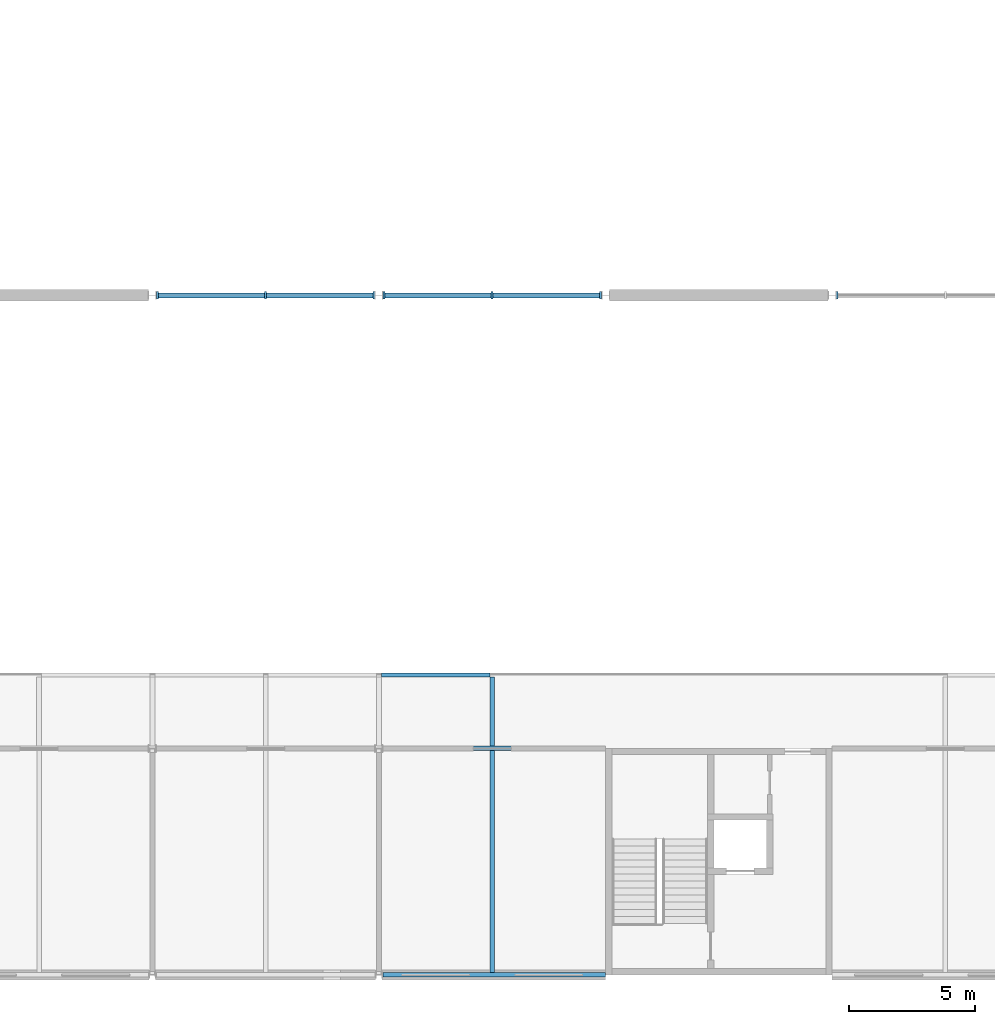
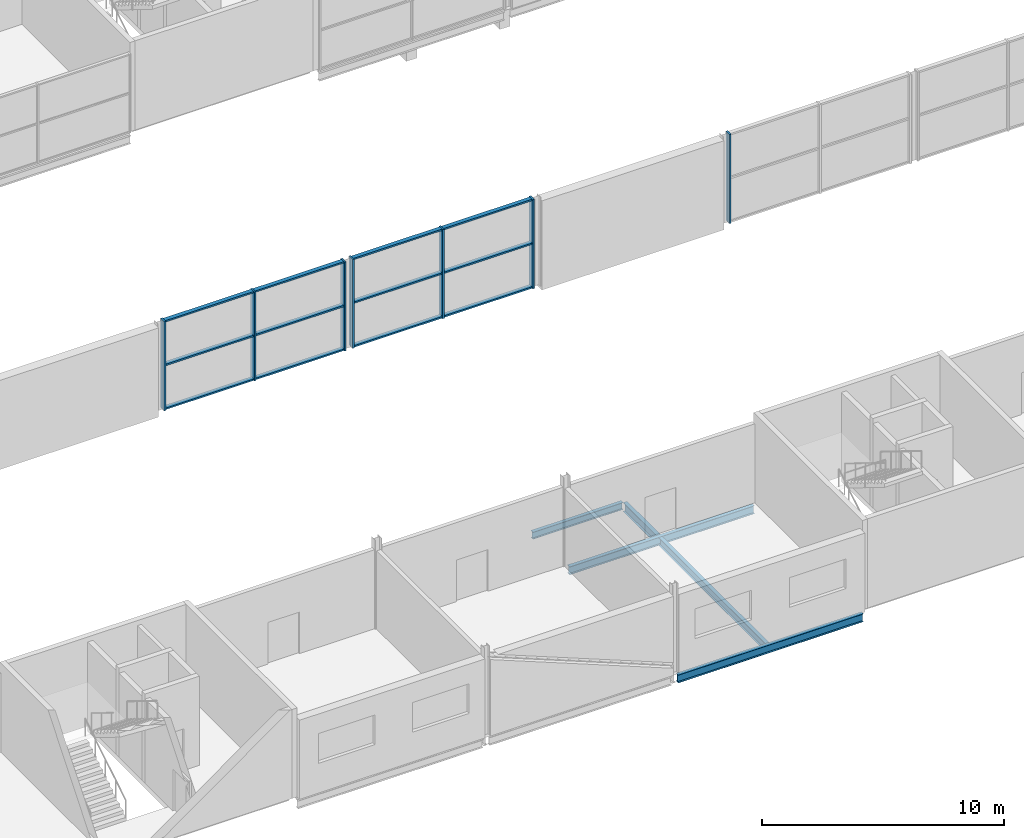
# One storey, part 34 of 97: 19 members, 5 beams, 3 elements without a shape of their own.
"""IFC4 building model written with IfcOpenShell, lengths in metres."""

import ifcopenshell
import ifcopenshell.guid

model = None  # the IFC model being written
_history = None  # IfcOwnerHistory: only IFC2X3 demands one
_inside = {}  # id of a spatial element -> (the spatial element, [elements in it])
_under = {}  # id of a project, library or spatial element -> (it, [spatial elements below it])
_declared = {}  # id of a project -> (the project, [libraries it declares])
_typed = {}  # id of a type object -> (the type object, [elements of that type])
_made_of = {}  # id of a material, layer set ... -> (it, [elements and type objects made of it])


def new_model(schema):
    """Start an empty IFC model of exactly this schema.

    Asked for "IFC4X3", IfcOpenShell would pick the latest addendum, in which some entities
    have other attributes; the version numbers below select the first issue.
    IFC2X3 requires an IfcOwnerHistory on every rooted entity: one is made here for all.
    """
    global model, _history
    if schema == "IFC4X3":
        model = ifcopenshell.file(schema_version=(4, 3, 0, 0))
    else:
        model = ifcopenshell.file(schema=schema)
    _inside.clear()
    _under.clear()
    _declared.clear()
    _typed.clear()
    _made_of.clear()
    _history = None
    if model.schema == "IFC2X3":
        org = make("IfcOrganization", Name="unknown")
        user = make(
            "IfcPersonAndOrganization",
            ThePerson=make("IfcPerson", FamilyName="unknown"),
            TheOrganization=org,
        )
        app = make(
            "IfcApplication",
            ApplicationDeveloper=org,
            Version="unknown",
            ApplicationFullName="unknown",
            ApplicationIdentifier="unknown",
        )
        _history = make(
            "IfcOwnerHistory",
            OwningUser=user,
            OwningApplication=app,
            ChangeAction="ADDED",
            CreationDate=0,
        )
    return model


def make(cls, **values):
    """One entity of the class cls with the attributes given. An attribute that is None is left unset."""
    return model.create_entity(
        cls, **{name: value for name, value in values.items() if value is not None}
    )


def rooted(cls, **values):
    """An entity with a GlobalId (a new one), such as an element, a storey or a relation."""
    return make(cls, GlobalId=ifcopenshell.guid.new(), OwnerHistory=_history, **values)


def si_unit(unit_type, name, prefix=None):
    """IfcSIUnit, for example si_unit("LENGTHUNIT", "METRE", prefix="MILLI")."""
    return make("IfcSIUnit", UnitType=unit_type, Prefix=prefix, Name=name)


def assignment(units):
    """IfcUnitAssignment: the units of a project."""
    return None if units is None else make("IfcUnitAssignment", Units=units)


def point(xyz):
    """IfcCartesianPoint."""
    return None if xyz is None else make("IfcCartesianPoint", Coordinates=xyz)


def direction(xyz):
    """IfcDirection."""
    return None if xyz is None else make("IfcDirection", DirectionRatios=xyz)


def frame(location, z_axis=None, x_axis=None):
    """IfcAxis2Placement3D, a coordinate frame: its origin and axes. An axis left out is left unset."""
    return make(
        "IfcAxis2Placement3D",
        Location=point(location),
        Axis=direction(z_axis),
        RefDirection=direction(x_axis),
    )


def frame_2d(location, x_axis=None):
    """IfcAxis2Placement2D, a coordinate frame in the plane: its origin and x axis."""
    return make(
        "IfcAxis2Placement2D", Location=point(location), RefDirection=direction(x_axis)
    )


def origin():
    """The frame at (0, 0, 0) with its axes left unset."""
    return frame((0.0, 0.0, 0.0))


def origin_2d():
    """The frame at (0, 0) in the plane with its x axis left unset."""
    return frame_2d((0.0, 0.0))


def place(relative_to, where):
    """IfcLocalPlacement: puts the frame where relative to a parent placement (None: the world)."""
    return make(
        "IfcLocalPlacement", PlacementRelTo=relative_to, RelativePlacement=where
    )


def context(
    kind, dimensions, precision=None, world=None, true_north=None, identifier=None
):
    """IfcGeometricRepresentationContext, for example the 3D "Model" context."""
    return make(
        "IfcGeometricRepresentationContext",
        ContextIdentifier=identifier,
        ContextType=kind,
        CoordinateSpaceDimension=dimensions,
        Precision=precision,
        WorldCoordinateSystem=world,
        TrueNorth=true_north,
    )


def subcontext(parent, identifier, kind, view, scale=None):
    """IfcGeometricRepresentationSubContext, for example "Body" below "Model"."""
    return make(
        "IfcGeometricRepresentationSubContext",
        ContextIdentifier=identifier,
        ContextType=kind,
        ParentContext=parent,
        TargetScale=scale,
        TargetView=view,
    )


def project(units=None, contexts=None):
    """IfcProject with its units and contexts."""
    return rooted(
        "IfcProject",
        Name="project",
        RepresentationContexts=contexts,
        UnitsInContext=assignment(units),
    )


def spatial(cls, under=None, at=None, **own):
    """A site, building, storey or space (cls), placed at a placement, below another one or the project."""
    s = rooted(cls, ObjectPlacement=at, **own)
    if under is not None:
        _under.setdefault(under.id(), (under, []))[1].append(s)
    return s


def profile(cls, at=None, kind="AREA", **sizes):
    """A parametric profile (cls). Its sizes go by their IFC names, for example OverallWidth=200.0."""
    return make(cls, ProfileType=kind, Position=at, **sizes)


def rectangle(**sizes):
    """IfcRectangleProfileDef."""
    return profile("IfcRectangleProfileDef", **sizes)


def i_section(**sizes):
    """IfcIShapeProfileDef."""
    return profile("IfcIShapeProfileDef", **sizes)


def extrude(swept, where, along, depth):
    """IfcExtrudedAreaSolid: the profile swept, set in the frame where, extruded along a direction by depth."""
    return make(
        "IfcExtrudedAreaSolid",
        SweptArea=swept,
        Position=where,
        ExtrudedDirection=direction(along),
        Depth=depth,
    )


def shape(context_of_items, identifier, shape_type, items):
    """IfcShapeRepresentation: the items that make up one representation, for example the "Body"."""
    return make(
        "IfcShapeRepresentation",
        ContextOfItems=context_of_items,
        RepresentationIdentifier=identifier,
        RepresentationType=shape_type,
        Items=items,
    )


def material(Name=None, Category=None):
    """IfcMaterial."""
    return make("IfcMaterial", Name=Name, Category=Category)


def layer(
    of_material, thickness, ventilated=None, Name=None, Category=None, Priority=None
):
    """IfcMaterialLayer: one layer of a wall or slab, of a material (None: an air gap)."""
    return make(
        "IfcMaterialLayer",
        Material=of_material,
        LayerThickness=thickness,
        IsVentilated=ventilated,
        Name=Name,
        Category=Category,
        Priority=Priority,
    )


def layer_set(layers, Name=None):
    """IfcMaterialLayerSet."""
    return make("IfcMaterialLayerSet", MaterialLayers=layers, LayerSetName=Name)


def material_profile(
    of_material, cross_section, Name=None, Category=None, Priority=None
):
    """IfcMaterialProfile: a cross section and its material."""
    return make(
        "IfcMaterialProfile",
        Name=Name,
        Material=of_material,
        Profile=cross_section,
        Priority=Priority,
        Category=Category,
    )


def profile_set(profiles, Name=None, composite=None):
    """IfcMaterialProfileSet."""
    return make(
        "IfcMaterialProfileSet",
        Name=Name,
        MaterialProfiles=profiles,
        CompositeProfile=composite,
    )


def made_of(thing, what):
    """Note that an element or type object is made of a material, layer set ...; save() writes the relation."""
    if what is not None:
        _made_of.setdefault(what.id(), (what, []))[1].append(thing)
    return thing


def type_object(cls, material=None, **own):
    """A type object (cls), such as IfcWallType, which elements share."""
    return made_of(rooted(cls, **own), material)


def element(
    cls,
    number,
    at=None,
    inside=None,
    cuts=None,
    type_object=None,
    material=None,
    context=None,
    identifier="Body",
    shape_type=None,
    held_by="IfcProductDefinitionShape",
    body=None,
    shapes=None,
    **own,
):
    """One element of the class cls, such as IfcWall. Its Tag is "e" and its number.

    at: its placement. inside: the storey or other place that contains it. cuts: it is an
    opening in that element (IfcRelVoidsElement). A single representation is given by context,
    identifier, shape_type and body (its items); several are given by shapes. held_by: the class
    of the entity that holds the representations. save() writes the other relations.
    """
    e = rooted(cls, Tag="e%d" % number, ObjectPlacement=at, **own)
    if body is not None:
        shapes = [shape(context, identifier, shape_type, body)]
    if shapes is not None:
        e.Representation = make(held_by, Representations=shapes)
    if inside is not None:
        _inside.setdefault(inside.id(), (inside, []))[1].append(e)
    if cuts is not None:
        rooted(
            "IfcRelVoidsElement", RelatingBuildingElement=cuts, RelatedOpeningElement=e
        )
    if type_object is not None:
        _typed.setdefault(type_object.id(), (type_object, []))[1].append(e)
    return made_of(e, material)


def aggregate(whole, parts):
    """IfcRelAggregates: a whole, such as a stair, and the parts it consists of."""
    return rooted("IfcRelAggregates", RelatingObject=whole, RelatedObjects=parts)


def save(model, path):
    """Write the relations noted so far, then the file.

    IfcRelAggregates (storeys below a building ...), IfcRelContainedInSpatialStructure (elements
    in a storey), IfcRelDefinesByType, IfcRelAssociatesMaterial and IfcRelDeclares: one each for
    every whole, place, type object, material and project.
    """
    for whole, parts in _under.values():
        aggregate(whole, parts)
    for where, things in _inside.values():
        rooted(
            "IfcRelContainedInSpatialStructure",
            RelatedElements=things,
            RelatingStructure=where,
        )
    for kind, things in _typed.values():
        rooted("IfcRelDefinesByType", RelatedObjects=things, RelatingType=kind)
    for what, things in _made_of.values():
        rooted("IfcRelAssociatesMaterial", RelatedObjects=things, RelatingMaterial=what)
    for by, libraries in _declared.values():
        rooted("IfcRelDeclares", RelatingContext=by, RelatedDefinitions=libraries)
    model.write(path)


model = new_model("IFC4")

# Units and contexts
model_context = context("Model", 3, precision=1e-05, world=origin(), true_north=direction((0.0, 1.0)))
body_context = subcontext(model_context, "Body", "Model", "MODEL_VIEW")
ifc_project = project(units=[si_unit("LENGTHUNIT", "METRE"), si_unit("AREAUNIT", "SQUARE_METRE"), si_unit("VOLUMEUNIT", "CUBIC_METRE"), si_unit("PLANEANGLEUNIT", "RADIAN"), si_unit("MASSUNIT", "GRAM", prefix="KILO")], contexts=[model_context])

# Site, building, storey
site_placement = place(None, origin())
site = spatial("IfcSite", under=ifc_project, at=site_placement, CompositionType="ELEMENT")
building_placement = place(site_placement, origin())
building = spatial("IfcBuilding", under=site, at=building_placement, Name="Corbel Yard City Hall", CompositionType="ELEMENT")
storey_placement = place(building_placement, frame((0.0, 0.0, 6.0)))
storey = spatial("IfcBuildingStorey", under=building, at=storey_placement, Name="L01", CompositionType="ELEMENT", Elevation=6.0)

# Beams
ifc_material_1 = material(Name="Steel Grade 300 (300 MPa yield)", Category="steel")
ifc_material_profile_1 = material_profile(ifc_material_1, i_section(OverallWidth=0.177978515625, OverallDepth=0.406005859375, WebThickness=0.0078125, FlangeThickness=0.0126953125, at=origin_2d()), Name="410UB59.7")
ifc_profile_set_1 = profile_set([ifc_material_profile_1], Name="Steel Grade 300 (300 MPa yield)")
beam_type_1 = type_object("IfcBeamType", Name="Edge beam 410UB59.7", PredefinedType="BEAM", material=ifc_profile_set_1)
beam_1_placement = place(storey_placement, frame((108.157470703125, 0.0, -0.35302734375), z_axis=(1.0, 0.0, 0.0), x_axis=(0.0, 1.0, 0.0)))
element("IfcBeam", 1, at=beam_1_placement, inside=storey, type_object=beam_type_1, Name="Edge beam 410UB59.7 EB2 L01floor", PredefinedType="BEAM", context=body_context, shape_type="SweptSolid", body=[
    extrude(i_section(OverallWidth=0.177978515625, OverallDepth=0.406005859375, WebThickness=0.0078125, FlangeThickness=0.0126953125, at=origin_2d()), origin(), (0.0, 0.0, 1.0), 8.842529296875),
])
beam_2_placement = place(storey_placement, frame((108.16357421875, 9.0, -0.35302734375), z_axis=(1.0, 0.0, 0.0), x_axis=(0.0, 1.0, 0.0)))
element("IfcBeam", 2, at=beam_2_placement, inside=storey, type_object=beam_type_1, Name="Edge beam 410UB59.7 EB2 L01floor", PredefinedType="BEAM", context=body_context, shape_type="SweptSolid", body=[
    extrude(i_section(OverallWidth=0.177978515625, OverallDepth=0.406005859375, WebThickness=0.0078125, FlangeThickness=0.0126953125, at=origin_2d()), origin(), (0.0, 0.0, 1.0), 8.83642578125),
])
ifc_material_profile_2 = material_profile(ifc_material_1, i_section(OverallWidth=0.18994140625, OverallDepth=0.4541015625, WebThickness=0.008544921875, FlangeThickness=0.0126953125, at=origin_2d()), Name="460UB67.1")
ifc_profile_set_2 = profile_set([ifc_material_profile_2], Name="Steel Grade 300 (300 MPa yield)")
beam_type_2 = type_object("IfcBeamType", Name="Gallery bracket 460UB67.1", PredefinedType="BEAM", material=ifc_profile_set_2)
beam_3_placement = place(storey_placement, frame((112.5, 9.089111328125, -0.376953125), z_axis=(0.0, 1.0, 0.0), x_axis=(-1.0, 0.0, 0.0)))
element("IfcBeam", 3, at=beam_3_placement, inside=storey, type_object=beam_type_2, Name="Gallery bracket 460UB67.1 CB2 L01", PredefinedType="BEAM", context=body_context, shape_type="SweptSolid", body=[
    extrude(i_section(OverallWidth=0.18994140625, OverallDepth=0.4541015625, WebThickness=0.008544921875, FlangeThickness=0.0126953125, at=origin_2d()), origin(), (0.0, 0.0, 1.0), 2.739990234375),
])
ifc_material_profile_3 = material_profile(ifc_material_1, i_section(OverallWidth=0.1708984375, OverallDepth=0.35205078125, WebThickness=0.0068359375, FlangeThickness=0.009765625, at=origin_2d()), Name="360UB44.7")
ifc_profile_set_3 = profile_set([ifc_material_profile_3], Name="Steel Grade 300 (300 MPa yield)")
beam_type_3 = type_object("IfcBeamType", Name="Gallery edge beam 360UB44.7", PredefinedType="BEAM", material=ifc_profile_set_3)
beam_4_placement = place(storey_placement, frame((108.094970703125, 11.91455078125, -0.325927734375), z_axis=(1.0, 0.0, 0.0), x_axis=(0.0, 1.0, 0.0)))
element("IfcBeam", 4, at=beam_4_placement, inside=storey, type_object=beam_type_3, Name="Gallery edge beam 360UB44.7 EB13 L01", PredefinedType="BEAM", context=body_context, shape_type="SweptSolid", body=[
    extrude(i_section(OverallWidth=0.1708984375, OverallDepth=0.35205078125, WebThickness=0.0068359375, FlangeThickness=0.009765625, at=origin_2d()), origin(), (0.0, 0.0, 1.0), 4.31005859375),
])

# Curtain wall, members
ifc_material_2 = material(Name="Aluminium extrusion", Category="aluminium")
ifc_layer = layer(ifc_material_2, 0.300048828125)
ifc_layer_set = layer_set([ifc_layer], Name="Aluminium extrusion")
curtain_wall_type = type_object("IfcCurtainWallType", Name="CW7", PredefinedType="USERDEFINED", material=ifc_layer_set)
curtain_wall_1_placement = place(storey_placement, origin())
curtain_wall_1 = element("IfcCurtainWall", 5, at=curtain_wall_1_placement, inside=storey, type_object=curtain_wall_type, Name="Curtain wall CW7 L01", ObjectType="CURTAIN WALL", PredefinedType="USERDEFINED")
ifc_material_profile_4 = material_profile(ifc_material_2, rectangle(XDim=0.300048828125, YDim=0.080078125, at=origin_2d()), Name="300x80")
ifc_profile_set_4 = profile_set([ifc_material_profile_4], Name="Aluminium extrusion")
member_type_1 = type_object("IfcMemberType", Name="ML7", PredefinedType="MULLION", material=ifc_profile_set_4)
member_1_placement = place(storey_placement, frame((99.197509765625, 27.0, 0.0), z_axis=(0.0, 0.0, 1.0), x_axis=(0.0, 1.0, 0.0)))
member_1 = element("IfcMember", 6, at=member_1_placement, type_object=member_type_1, Name="CW7 mullion 1", PredefinedType="MULLION", context=body_context, shape_type="SweptSolid", body=[
    extrude(rectangle(XDim=0.300048828125, YDim=0.080078125, at=origin_2d()), origin(), (0.0, 0.0, 1.0), 4.5),
])
member_2_placement = place(storey_placement, frame((103.5, 27.0, 0.0), z_axis=(0.0, 0.0, 1.0), x_axis=(0.0, 1.0, 0.0)))
member_2 = element("IfcMember", 7, at=member_2_placement, type_object=member_type_1, Name="CW7 mullion 2", PredefinedType="MULLION", context=body_context, shape_type="SweptSolid", body=[
    extrude(rectangle(XDim=0.300048828125, YDim=0.080078125, at=origin_2d()), origin(), (0.0, 0.0, 1.0), 4.5),
])
member_3_placement = place(storey_placement, frame((107.802490234375, 27.0, 0.0), z_axis=(0.0, 0.0, 1.0), x_axis=(0.0, 1.0, 0.0)))
member_3 = element("IfcMember", 8, at=member_3_placement, type_object=member_type_1, Name="CW7 mullion 3", PredefinedType="MULLION", context=body_context, shape_type="SweptSolid", body=[
    extrude(rectangle(XDim=0.300048828125, YDim=0.080078125, at=origin_2d()), origin(), (0.0, 0.0, 1.0), 4.5),
])

curtain_wall_2_placement = place(storey_placement, origin())
curtain_wall_2 = element("IfcCurtainWall", 9, at=curtain_wall_2_placement, inside=storey, type_object=curtain_wall_type, Name="Curtain wall CW7 L01", ObjectType="CURTAIN WALL", PredefinedType="USERDEFINED")
member_4_placement = place(storey_placement, frame((108.197509765625, 27.0, 0.0), z_axis=(0.0, 0.0, 1.0), x_axis=(0.0, 1.0, 0.0)))
member_4 = element("IfcMember", 10, at=member_4_placement, type_object=member_type_1, Name="CW7 mullion 1", PredefinedType="MULLION", context=body_context, shape_type="SweptSolid", body=[
    extrude(rectangle(XDim=0.300048828125, YDim=0.080078125, at=origin_2d()), origin(), (0.0, 0.0, 1.0), 4.5),
])
member_5_placement = place(storey_placement, frame((112.5, 27.0, 0.0), z_axis=(0.0, 0.0, 1.0), x_axis=(0.0, 1.0, 0.0)))
member_5 = element("IfcMember", 11, at=member_5_placement, type_object=member_type_1, Name="CW7 mullion 2", PredefinedType="MULLION", context=body_context, shape_type="SweptSolid", body=[
    extrude(rectangle(XDim=0.300048828125, YDim=0.080078125, at=origin_2d()), origin(), (0.0, 0.0, 1.0), 4.5),
])
member_6_placement = place(storey_placement, frame((116.802490234375, 27.0, 0.0), z_axis=(0.0, 0.0, 1.0), x_axis=(0.0, 1.0, 0.0)))
member_6 = element("IfcMember", 12, at=member_6_placement, type_object=member_type_1, Name="CW7 mullion 3", PredefinedType="MULLION", context=body_context, shape_type="SweptSolid", body=[
    extrude(rectangle(XDim=0.300048828125, YDim=0.080078125, at=origin_2d()), origin(), (0.0, 0.0, 1.0), 4.5),
])

# Curtain wall, member
curtain_wall_3_placement = place(storey_placement, origin())
curtain_wall_3 = element("IfcCurtainWall", 13, at=curtain_wall_3_placement, inside=storey, type_object=curtain_wall_type, Name="Curtain wall CW7 L01", ObjectType="CURTAIN WALL", PredefinedType="USERDEFINED")
member_7_placement = place(storey_placement, frame((126.197509765625, 27.0, 0.0), z_axis=(0.0, 0.0, 1.0), x_axis=(0.0, 1.0, 0.0)))
member_7 = element("IfcMember", 14, at=member_7_placement, type_object=member_type_1, Name="CW7 mullion 1", PredefinedType="MULLION", context=body_context, shape_type="SweptSolid", body=[
    extrude(rectangle(XDim=0.300048828125, YDim=0.080078125, at=origin_2d()), origin(), (0.0, 0.0, 1.0), 4.5),
])
aggregate(curtain_wall_3, [member_7])

# Beam
ifc_material_profile_5 = material_profile(ifc_material_1, i_section(OverallWidth=0.177978515625, OverallDepth=0.403076171875, WebThickness=0.007568359375, FlangeThickness=0.010986328125, at=origin_2d()), Name="410UB53.7")
ifc_profile_set_5 = profile_set([ifc_material_profile_5], Name="Steel Grade 300 (300 MPa yield)")
beam_type_4 = type_object("IfcBeamType", Name="Secondary beam 410UB53.7", PredefinedType="JOIST", material=ifc_profile_set_5)
beam_5_placement = place(storey_placement, frame((112.5, 0.089111328125, -0.3515625), z_axis=(0.0, 1.0, 0.0), x_axis=(-1.0, 0.0, 0.0)))
element("IfcBeam", 15, at=beam_5_placement, inside=storey, type_object=beam_type_4, Name="Secondary beam 410UB53.7 SB5 L01floor", PredefinedType="JOIST", context=body_context, shape_type="SweptSolid", body=[
    extrude(i_section(OverallWidth=0.177978515625, OverallDepth=0.403076171875, WebThickness=0.007568359375, FlangeThickness=0.010986328125, at=origin_2d()), origin(), (0.0, 0.0, 1.0), 8.82177734375),
])

# Member
ifc_material_profile_6 = material_profile(ifc_material_2, rectangle(XDim=0.199951171875, YDim=0.080078125, at=origin_2d()), Name="200x80")
ifc_profile_set_6 = profile_set([ifc_material_profile_6], Name="Aluminium extrusion")
member_type_2 = type_object("IfcMemberType", Name="TR7", PredefinedType="USERDEFINED", material=ifc_profile_set_6)
member_8_placement = place(storey_placement, frame((99.237548828125, 27.0, 0.0400390625), z_axis=(1.0, 0.0, 0.0), x_axis=(0.0, 1.0, 0.0)))
member_8 = element("IfcMember", 16, at=member_8_placement, type_object=member_type_2, Name="CW7 transom 1.1", ObjectType="TRANSOM", PredefinedType="USERDEFINED", context=body_context, shape_type="SweptSolid", body=[
    extrude(rectangle(XDim=0.199951171875, YDim=0.080078125, at=origin_2d()), origin(), (0.0, 0.0, 1.0), 4.222412109375),
])

member_9_placement = place(storey_placement, frame((99.237548828125, 27.0, 2.25), z_axis=(1.0, 0.0, 0.0), x_axis=(0.0, 1.0, 0.0)))
member_9 = element("IfcMember", 17, at=member_9_placement, type_object=member_type_2, Name="CW7 transom 1.2", ObjectType="TRANSOM", PredefinedType="USERDEFINED", context=body_context, shape_type="SweptSolid", body=[
    extrude(rectangle(XDim=0.199951171875, YDim=0.080078125, at=origin_2d()), origin(), (0.0, 0.0, 1.0), 4.222412109375),
])

member_10_placement = place(storey_placement, frame((99.237548828125, 27.0, 4.4599609375), z_axis=(1.0, 0.0, 0.0), x_axis=(0.0, 1.0, 0.0)))
member_10 = element("IfcMember", 18, at=member_10_placement, type_object=member_type_2, Name="CW7 transom 1.3", ObjectType="TRANSOM", PredefinedType="USERDEFINED", context=body_context, shape_type="SweptSolid", body=[
    extrude(rectangle(XDim=0.199951171875, YDim=0.080078125, at=origin_2d()), origin(), (0.0, 0.0, 1.0), 4.222412109375),
])

member_11_placement = place(storey_placement, frame((103.5400390625, 27.0, 0.0400390625), z_axis=(1.0, 0.0, 0.0), x_axis=(0.0, 1.0, 0.0)))
member_11 = element("IfcMember", 19, at=member_11_placement, type_object=member_type_2, Name="CW7 transom 2.1", ObjectType="TRANSOM", PredefinedType="USERDEFINED", context=body_context, shape_type="SweptSolid", body=[
    extrude(rectangle(XDim=0.199951171875, YDim=0.080078125, at=origin_2d()), origin(), (0.0, 0.0, 1.0), 4.222412109375),
])

member_12_placement = place(storey_placement, frame((103.5400390625, 27.0, 2.25), z_axis=(1.0, 0.0, 0.0), x_axis=(0.0, 1.0, 0.0)))
member_12 = element("IfcMember", 20, at=member_12_placement, type_object=member_type_2, Name="CW7 transom 2.2", ObjectType="TRANSOM", PredefinedType="USERDEFINED", context=body_context, shape_type="SweptSolid", body=[
    extrude(rectangle(XDim=0.199951171875, YDim=0.080078125, at=origin_2d()), origin(), (0.0, 0.0, 1.0), 4.222412109375),
])

member_13_placement = place(storey_placement, frame((103.5400390625, 27.0, 4.4599609375), z_axis=(1.0, 0.0, 0.0), x_axis=(0.0, 1.0, 0.0)))
member_13 = element("IfcMember", 21, at=member_13_placement, type_object=member_type_2, Name="CW7 transom 2.3", ObjectType="TRANSOM", PredefinedType="USERDEFINED", context=body_context, shape_type="SweptSolid", body=[
    extrude(rectangle(XDim=0.199951171875, YDim=0.080078125, at=origin_2d()), origin(), (0.0, 0.0, 1.0), 4.222412109375),
])

aggregate(curtain_wall_1, [member_1, member_2, member_3, member_8, member_9, member_10, member_11, member_12, member_13])

member_14_placement = place(storey_placement, frame((108.237548828125, 27.0, 0.0400390625), z_axis=(1.0, 0.0, 0.0), x_axis=(0.0, 1.0, 0.0)))
member_14 = element("IfcMember", 22, at=member_14_placement, type_object=member_type_2, Name="CW7 transom 1.1", ObjectType="TRANSOM", PredefinedType="USERDEFINED", context=body_context, shape_type="SweptSolid", body=[
    extrude(rectangle(XDim=0.199951171875, YDim=0.080078125, at=origin_2d()), origin(), (0.0, 0.0, 1.0), 4.222412109375),
])

member_15_placement = place(storey_placement, frame((108.237548828125, 27.0, 2.25), z_axis=(1.0, 0.0, 0.0), x_axis=(0.0, 1.0, 0.0)))
member_15 = element("IfcMember", 23, at=member_15_placement, type_object=member_type_2, Name="CW7 transom 1.2", ObjectType="TRANSOM", PredefinedType="USERDEFINED", context=body_context, shape_type="SweptSolid", body=[
    extrude(rectangle(XDim=0.199951171875, YDim=0.080078125, at=origin_2d()), origin(), (0.0, 0.0, 1.0), 4.222412109375),
])

member_16_placement = place(storey_placement, frame((108.237548828125, 27.0, 4.4599609375), z_axis=(1.0, 0.0, 0.0), x_axis=(0.0, 1.0, 0.0)))
member_16 = element("IfcMember", 24, at=member_16_placement, type_object=member_type_2, Name="CW7 transom 1.3", ObjectType="TRANSOM", PredefinedType="USERDEFINED", context=body_context, shape_type="SweptSolid", body=[
    extrude(rectangle(XDim=0.199951171875, YDim=0.080078125, at=origin_2d()), origin(), (0.0, 0.0, 1.0), 4.222412109375),
])

member_17_placement = place(storey_placement, frame((112.5400390625, 27.0, 0.0400390625), z_axis=(1.0, 0.0, 0.0), x_axis=(0.0, 1.0, 0.0)))
member_17 = element("IfcMember", 25, at=member_17_placement, type_object=member_type_2, Name="CW7 transom 2.1", ObjectType="TRANSOM", PredefinedType="USERDEFINED", context=body_context, shape_type="SweptSolid", body=[
    extrude(rectangle(XDim=0.199951171875, YDim=0.080078125, at=origin_2d()), origin(), (0.0, 0.0, 1.0), 4.222412109375),
])

member_18_placement = place(storey_placement, frame((112.5400390625, 27.0, 2.25), z_axis=(1.0, 0.0, 0.0), x_axis=(0.0, 1.0, 0.0)))
member_18 = element("IfcMember", 26, at=member_18_placement, type_object=member_type_2, Name="CW7 transom 2.2", ObjectType="TRANSOM", PredefinedType="USERDEFINED", context=body_context, shape_type="SweptSolid", body=[
    extrude(rectangle(XDim=0.199951171875, YDim=0.080078125, at=origin_2d()), origin(), (0.0, 0.0, 1.0), 4.222412109375),
])

member_19_placement = place(storey_placement, frame((112.5400390625, 27.0, 4.4599609375), z_axis=(1.0, 0.0, 0.0), x_axis=(0.0, 1.0, 0.0)))
member_19 = element("IfcMember", 27, at=member_19_placement, type_object=member_type_2, Name="CW7 transom 2.3", ObjectType="TRANSOM", PredefinedType="USERDEFINED", context=body_context, shape_type="SweptSolid", body=[
    extrude(rectangle(XDim=0.199951171875, YDim=0.080078125, at=origin_2d()), origin(), (0.0, 0.0, 1.0), 4.222412109375),
])

aggregate(curtain_wall_2, [member_4, member_5, member_6, member_14, member_15, member_16, member_17, member_18, member_19])

save(model, "model.ifc")
